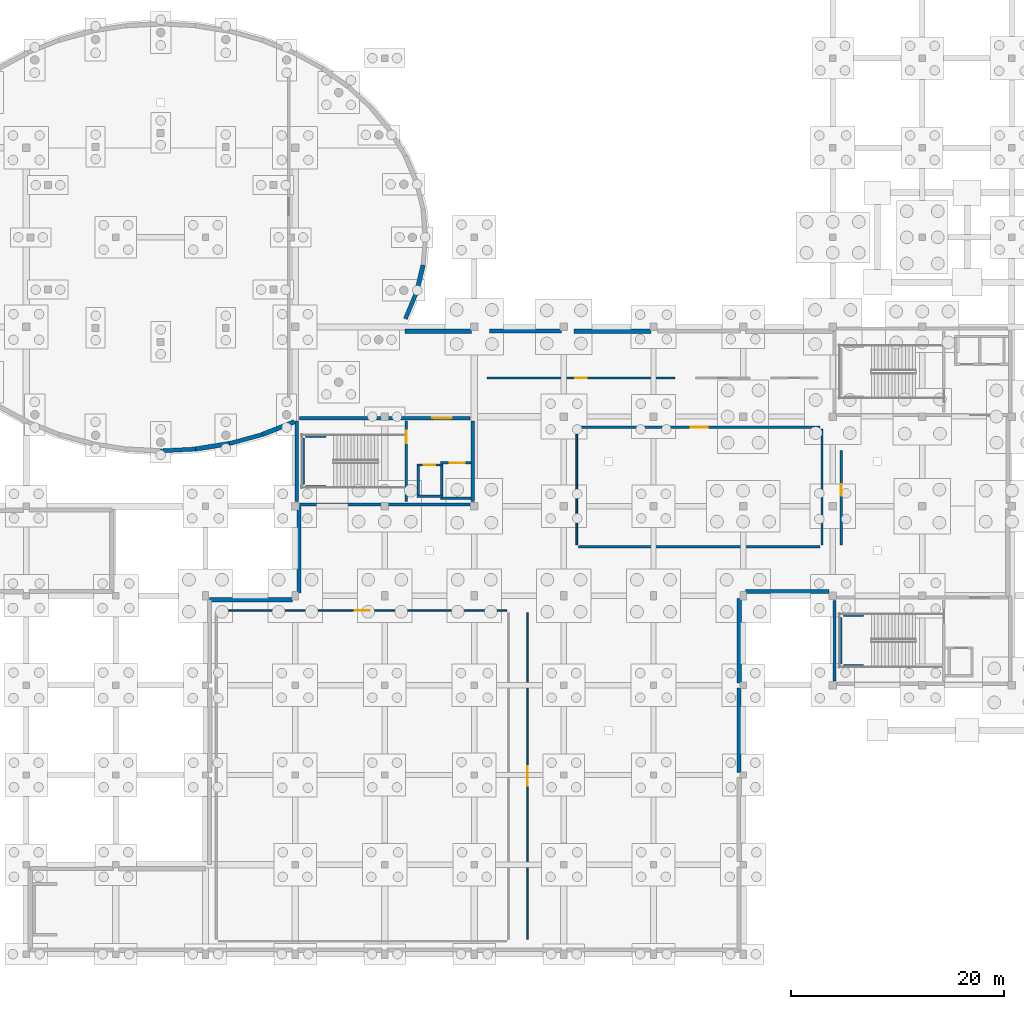
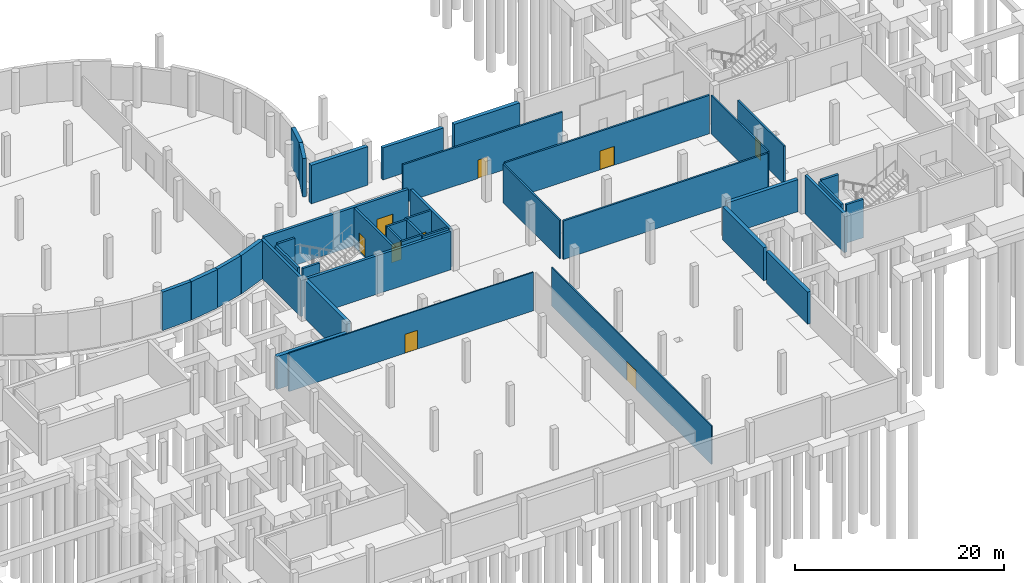
# One storey, part 14 of 24: 40 walls, 9 doors, 9 openings.
"""IFC4 building model written with IfcOpenShell, lengths in metres."""

import ifcopenshell
import ifcopenshell.guid

model = None  # the IFC model being written
_history = None  # IfcOwnerHistory: only IFC2X3 demands one
_inside = {}  # id of a spatial element -> (the spatial element, [elements in it])
_under = {}  # id of a project, library or spatial element -> (it, [spatial elements below it])
_declared = {}  # id of a project -> (the project, [libraries it declares])
_typed = {}  # id of a type object -> (the type object, [elements of that type])
_made_of = {}  # id of a material, layer set ... -> (it, [elements and type objects made of it])


def new_model(schema):
    """Start an empty IFC model of exactly this schema.

    Asked for "IFC4X3", IfcOpenShell would pick the latest addendum, in which some entities
    have other attributes; the version numbers below select the first issue.
    IFC2X3 requires an IfcOwnerHistory on every rooted entity: one is made here for all.
    """
    global model, _history
    if schema == "IFC4X3":
        model = ifcopenshell.file(schema_version=(4, 3, 0, 0))
    else:
        model = ifcopenshell.file(schema=schema)
    _inside.clear()
    _under.clear()
    _declared.clear()
    _typed.clear()
    _made_of.clear()
    _history = None
    if model.schema == "IFC2X3":
        org = make("IfcOrganization", Name="unknown")
        user = make(
            "IfcPersonAndOrganization",
            ThePerson=make("IfcPerson", FamilyName="unknown"),
            TheOrganization=org,
        )
        app = make(
            "IfcApplication",
            ApplicationDeveloper=org,
            Version="unknown",
            ApplicationFullName="unknown",
            ApplicationIdentifier="unknown",
        )
        _history = make(
            "IfcOwnerHistory",
            OwningUser=user,
            OwningApplication=app,
            ChangeAction="ADDED",
            CreationDate=0,
        )
    return model


def make(cls, **values):
    """One entity of the class cls with the attributes given. An attribute that is None is left unset."""
    return model.create_entity(
        cls, **{name: value for name, value in values.items() if value is not None}
    )


def rooted(cls, **values):
    """An entity with a GlobalId (a new one), such as an element, a storey or a relation."""
    return make(cls, GlobalId=ifcopenshell.guid.new(), OwnerHistory=_history, **values)


def si_unit(unit_type, name, prefix=None):
    """IfcSIUnit, for example si_unit("LENGTHUNIT", "METRE", prefix="MILLI")."""
    return make("IfcSIUnit", UnitType=unit_type, Prefix=prefix, Name=name)


def derived_unit(unit_type, elements):
    """IfcDerivedUnit: a product of units, each with its exponent."""
    return make(
        "IfcDerivedUnit",
        Elements=[
            make("IfcDerivedUnitElement", Unit=unit, Exponent=power)
            for unit, power in elements
        ],
        UnitType=unit_type,
    )


def assignment(units):
    """IfcUnitAssignment: the units of a project."""
    return None if units is None else make("IfcUnitAssignment", Units=units)


def point(xyz):
    """IfcCartesianPoint."""
    return None if xyz is None else make("IfcCartesianPoint", Coordinates=xyz)


def direction(xyz):
    """IfcDirection."""
    return None if xyz is None else make("IfcDirection", DirectionRatios=xyz)


def frame(location, z_axis=None, x_axis=None):
    """IfcAxis2Placement3D, a coordinate frame: its origin and axes. An axis left out is left unset."""
    return make(
        "IfcAxis2Placement3D",
        Location=point(location),
        Axis=direction(z_axis),
        RefDirection=direction(x_axis),
    )


def frame_2d(location, x_axis=None):
    """IfcAxis2Placement2D, a coordinate frame in the plane: its origin and x axis."""
    return make(
        "IfcAxis2Placement2D", Location=point(location), RefDirection=direction(x_axis)
    )


def origin():
    """The frame at (0, 0, 0) with its axes left unset."""
    return frame((0.0, 0.0, 0.0))


def place(relative_to, where):
    """IfcLocalPlacement: puts the frame where relative to a parent placement (None: the world)."""
    return make(
        "IfcLocalPlacement", PlacementRelTo=relative_to, RelativePlacement=where
    )


def context(
    kind, dimensions, precision=None, world=None, true_north=None, identifier=None
):
    """IfcGeometricRepresentationContext, for example the 3D "Model" context."""
    return make(
        "IfcGeometricRepresentationContext",
        ContextIdentifier=identifier,
        ContextType=kind,
        CoordinateSpaceDimension=dimensions,
        Precision=precision,
        WorldCoordinateSystem=world,
        TrueNorth=true_north,
    )


def subcontext(parent, identifier, kind, view, scale=None):
    """IfcGeometricRepresentationSubContext, for example "Body" below "Model"."""
    return make(
        "IfcGeometricRepresentationSubContext",
        ContextIdentifier=identifier,
        ContextType=kind,
        ParentContext=parent,
        TargetScale=scale,
        TargetView=view,
    )


def project(units=None, contexts=None):
    """IfcProject with its units and contexts."""
    return rooted(
        "IfcProject",
        Name="project",
        RepresentationContexts=contexts,
        UnitsInContext=assignment(units),
    )


def spatial(cls, under=None, at=None, **own):
    """A site, building, storey or space (cls), placed at a placement, below another one or the project."""
    s = rooted(cls, ObjectPlacement=at, **own)
    if under is not None:
        _under.setdefault(under.id(), (under, []))[1].append(s)
    return s


def profile(cls, at=None, kind="AREA", **sizes):
    """A parametric profile (cls). Its sizes go by their IFC names, for example OverallWidth=200.0."""
    return make(cls, ProfileType=kind, Position=at, **sizes)


def rectangle(**sizes):
    """IfcRectangleProfileDef."""
    return profile("IfcRectangleProfileDef", **sizes)


def extrude(swept, where, along, depth):
    """IfcExtrudedAreaSolid: the profile swept, set in the frame where, extruded along a direction by depth."""
    return make(
        "IfcExtrudedAreaSolid",
        SweptArea=swept,
        Position=where,
        ExtrudedDirection=direction(along),
        Depth=depth,
    )


def shape(context_of_items, identifier, shape_type, items):
    """IfcShapeRepresentation: the items that make up one representation, for example the "Body"."""
    return make(
        "IfcShapeRepresentation",
        ContextOfItems=context_of_items,
        RepresentationIdentifier=identifier,
        RepresentationType=shape_type,
        Items=items,
    )


def material(Name=None, Category=None):
    """IfcMaterial."""
    return make("IfcMaterial", Name=Name, Category=Category)


def layer(
    of_material, thickness, ventilated=None, Name=None, Category=None, Priority=None
):
    """IfcMaterialLayer: one layer of a wall or slab, of a material (None: an air gap)."""
    return make(
        "IfcMaterialLayer",
        Material=of_material,
        LayerThickness=thickness,
        IsVentilated=ventilated,
        Name=Name,
        Category=Category,
        Priority=Priority,
    )


def layer_set(layers, Name=None):
    """IfcMaterialLayerSet."""
    return make("IfcMaterialLayerSet", MaterialLayers=layers, LayerSetName=Name)


def made_of(thing, what):
    """Note that an element or type object is made of a material, layer set ...; save() writes the relation."""
    if what is not None:
        _made_of.setdefault(what.id(), (what, []))[1].append(thing)
    return thing


def type_object(cls, material=None, **own):
    """A type object (cls), such as IfcWallType, which elements share."""
    return made_of(rooted(cls, **own), material)


def element(
    cls,
    number,
    at=None,
    inside=None,
    cuts=None,
    type_object=None,
    material=None,
    context=None,
    identifier="Body",
    shape_type=None,
    held_by="IfcProductDefinitionShape",
    body=None,
    shapes=None,
    **own,
):
    """One element of the class cls, such as IfcWall. Its Tag is "e" and its number.

    at: its placement. inside: the storey or other place that contains it. cuts: it is an
    opening in that element (IfcRelVoidsElement). A single representation is given by context,
    identifier, shape_type and body (its items); several are given by shapes. held_by: the class
    of the entity that holds the representations. save() writes the other relations.
    """
    e = rooted(cls, Tag="e%d" % number, ObjectPlacement=at, **own)
    if body is not None:
        shapes = [shape(context, identifier, shape_type, body)]
    if shapes is not None:
        e.Representation = make(held_by, Representations=shapes)
    if inside is not None:
        _inside.setdefault(inside.id(), (inside, []))[1].append(e)
    if cuts is not None:
        rooted(
            "IfcRelVoidsElement", RelatingBuildingElement=cuts, RelatedOpeningElement=e
        )
    if type_object is not None:
        _typed.setdefault(type_object.id(), (type_object, []))[1].append(e)
    return made_of(e, material)


def fill(opening, filler):
    """IfcRelFillsElement: the door or window that sits in an opening."""
    return rooted(
        "IfcRelFillsElement",
        RelatingOpeningElement=opening,
        RelatedBuildingElement=filler,
    )


def aggregate(whole, parts):
    """IfcRelAggregates: a whole, such as a stair, and the parts it consists of."""
    return rooted("IfcRelAggregates", RelatingObject=whole, RelatedObjects=parts)


def save(model, path):
    """Write the relations noted so far, then the file.

    IfcRelAggregates (storeys below a building ...), IfcRelContainedInSpatialStructure (elements
    in a storey), IfcRelDefinesByType, IfcRelAssociatesMaterial and IfcRelDeclares: one each for
    every whole, place, type object, material and project.
    """
    for whole, parts in _under.values():
        aggregate(whole, parts)
    for where, things in _inside.values():
        rooted(
            "IfcRelContainedInSpatialStructure",
            RelatedElements=things,
            RelatingStructure=where,
        )
    for kind, things in _typed.values():
        rooted("IfcRelDefinesByType", RelatedObjects=things, RelatingType=kind)
    for what, things in _made_of.values():
        rooted("IfcRelAssociatesMaterial", RelatedObjects=things, RelatingMaterial=what)
    for by, libraries in _declared.values():
        rooted("IfcRelDeclares", RelatingContext=by, RelatedDefinitions=libraries)
    model.write(path)


model = new_model("IFC4")

# Units and contexts
model_context = context("Model", 3, precision=1e-05, world=origin(), true_north=direction((0.0, 1.0)))
body_context = subcontext(model_context, "Body", "Model", "MODEL_VIEW")
ifc_project = project(units=[si_unit("LENGTHUNIT", "METRE"), si_unit("AREAUNIT", "SQUARE_METRE"), si_unit("VOLUMEUNIT", "CUBIC_METRE"), si_unit("PLANEANGLEUNIT", "RADIAN"), si_unit("MASSUNIT", "GRAM", prefix="KILO"), derived_unit("THERMALTRANSMITTANCEUNIT", [(si_unit("POWERUNIT", "WATT"), 1), (si_unit("LENGTHUNIT", "METRE"), -2), (si_unit("THERMODYNAMICTEMPERATUREUNIT", "KELVIN"), -1)])], contexts=[model_context])

# Site, building, storey
site_placement = place(None, origin())
site = spatial("IfcSite", under=ifc_project, at=site_placement, CompositionType="ELEMENT")
building_placement = place(site_placement, origin())
building = spatial("IfcBuilding", under=site, at=building_placement, Name="Elbkamm Science Centre", CompositionType="ELEMENT")
storey_placement = place(building_placement, frame((0.0, 0.0, -4.800048828125)))
storey = spatial("IfcBuildingStorey", under=building, at=storey_placement, Name="B01", CompositionType="ELEMENT", Elevation=-4.800048828125)

# Walls
ifc_material_1 = material(Name="Reinforced concrete C40/50", Category="concrete")
ifc_layer_1 = layer(ifc_material_1, 0.25)
ifc_layer_set_1 = layer_set([ifc_layer_1], Name="Reinforced concrete C40/50")
wall_type_1 = type_object("IfcWallType", Name="WL-CORE-250", PredefinedType="SHEAR", material=ifc_layer_set_1)
wall_1_placement = place(storey_placement, frame((76.340087890625, 44.02001953125, 0.0), z_axis=(0.0, 0.0, 1.0), x_axis=(0.0, 1.0, 0.0)))
element("IfcWall", 1, at=wall_1_placement, inside=storey, type_object=wall_type_1, Name="B01 ST-C2 Shaft Bearing Wall W", PredefinedType="SHEAR", context=body_context, shape_type="SweptSolid", body=[
    extrude(rectangle(XDim=4.35986328125, YDim=0.25, at=frame_2d((2.179931640625, 0.0))), origin(), (0.0, 0.0, 1.0), 4.5),
])
for number, where, z_axis, x_axis, name in (
    (2, (76.590087890625, 43.820068359375, 0.0), (0.0, 0.0, 1.0), (1.0, 0.0, 0.0), "B01 ST-C2 Shaft Bearing Wall S"),
    (3, (76.590087890625, 48.580078125, 0.0), (0.0, 0.0, 1.0), (1.0, 0.0, 0.0), "B01 ST-C2 Shaft Bearing Wall N"),
):
    element("IfcWall", number, at=place(storey_placement, frame(where, z_axis=z_axis, x_axis=x_axis)), inside=storey, type_object=wall_type_1, Name=name, PredefinedType="SHEAR", context=body_context, shape_type="SweptSolid", body=[
        extrude(rectangle(XDim=1.889892578125, YDim=0.25, at=frame_2d((0.94482421875, 0.0))), origin(), (0.0, 0.0, 1.0), 4.5),
    ])

# Wall, opening, door
wall_2_placement = place(storey_placement, frame((86.02001953125, 42.419921875, 0.0), z_axis=(0.0, 0.0, 1.0), x_axis=(0.0, 1.0, 0.0)))
wall_2 = element("IfcWall", 4, at=wall_2_placement, inside=storey, type_object=wall_type_1, Name="B01 C2 Stairwell Compartment Wall", PredefinedType="SHEAR", context=body_context, shape_type="SweptSolid", body=[
    extrude(rectangle(XDim=7.56005859375, YDim=0.25, at=frame_2d((3.780029296875, 0.0))), origin(), (0.0, 0.0, 1.0), 4.5),
])
opening_1_placement = place(wall_2_placement, frame((5.4599609375, 0.0, 0.0)))
opening_1 = element("IfcOpeningElement", 5, at=opening_1_placement, cuts=wall_2, Name="Opening DC-02", PredefinedType="OPENING", context=body_context, shape_type="SweptSolid", body=[
    extrude(rectangle(XDim=1.199951171875, YDim=2.199951171875, at=frame_2d((0.60009765625, 1.10009765625))), frame((0.0, 0.136962890625, 0.0), z_axis=(0.0, -1.0, 0.0), x_axis=(1.0, 0.0, 0.0)), (0.0, 0.0, 1.0), 0.27392578125),
])
ifc_material_2 = material(Name="Fire-rated steel acoustic door", Category="steel")
ifc_layer_2 = layer(ifc_material_2, 0.050048828125)
ifc_layer_set_2 = layer_set([ifc_layer_2], Name="Fire-rated steel acoustic door")
door_type_1 = type_object("IfcDoorType", Name="DR-CORE-1200x2200", OperationType="NOTDEFINED", PredefinedType="DOOR", material=ifc_layer_set_2)
door_1_placement = place(opening_1_placement, origin())
door_1 = element("IfcDoor", 6, at=door_1_placement, inside=storey, type_object=door_type_1, Name="B01 ST-C2 Stairwell Fire Door", OperationType="SINGLE_SWING_RIGHT", OverallHeight=2.199951171875, OverallWidth=1.199951171875, PredefinedType="DOOR", context=body_context, shape_type="SweptSolid", body=[
    extrude(rectangle(XDim=1.199951171875, YDim=2.199951171875, at=frame_2d((0.60009765625, 1.10009765625))), frame((0.0, 0.02490234375, 0.0), z_axis=(0.0, -1.0, 0.0), x_axis=(1.0, 0.0, 0.0)), (0.0, 0.0, 1.0), 0.050048828125),
])
fill(opening_1, door_1)

# Walls
wall_3_placement = place(storey_placement, frame((126.739990234375, 27.219970703125, 0.0), z_axis=(0.0, 0.0, 1.0), x_axis=(0.0, 1.0, 0.0)))
element("IfcWall", 7, at=wall_3_placement, inside=storey, type_object=wall_type_1, Name="B01 ST-C4 Shaft Bearing Wall W", PredefinedType="SHEAR", context=body_context, shape_type="SweptSolid", body=[
    extrude(rectangle(XDim=4.360107421875, YDim=0.25, at=frame_2d((2.18017578125, 0.0))), origin(), (0.0, 0.0, 1.0), 4.5),
])
for number, where, z_axis, x_axis, name in (
    (8, (126.989990234375, 27.02001953125, 0.0), (0.0, 0.0, 1.0), (1.0, 0.0, 0.0), "B01 ST-C4 Shaft Bearing Wall S"),
    (9, (126.989990234375, 31.780029296875, 0.0), (0.0, 0.0, 1.0), (1.0, 0.0, 0.0), "B01 ST-C4 Shaft Bearing Wall N"),
):
    element("IfcWall", number, at=place(storey_placement, frame(where, z_axis=z_axis, x_axis=x_axis)), inside=storey, type_object=wall_type_1, Name=name, PredefinedType="SHEAR", context=body_context, shape_type="SweptSolid", body=[
        extrude(rectangle(XDim=1.889892578125, YDim=0.25, at=frame_2d((0.94482421875, 0.0))), origin(), (0.0, 0.0, 1.0), 4.5),
    ])
ifc_layer_3 = layer(ifc_material_1, 0.300048828125)
ifc_layer_set_3 = layer_set([ifc_layer_3], Name="Reinforced concrete C40/50")
wall_type_2 = type_object("IfcWallType", Name="WL-CORE-300", PredefinedType="SHEAR", material=ifc_layer_set_3)
wall_4_placement = place(storey_placement, frame((76.02001953125, 42.14990234375, 0.0), z_axis=(0.0, 0.0, 1.0), x_axis=(1.0, 0.0, 0.0)))
element("IfcWall", 10, at=wall_4_placement, inside=storey, type_object=wall_type_2, Name="B01 Core C2 Central Exhibition and Skybridge Core Shear Wall S", PredefinedType="SHEAR", context=body_context, shape_type="SweptSolid", body=[
    extrude(rectangle(XDim=15.9599609375, YDim=0.300048828125, at=frame_2d((7.97998046875, 0.0))), origin(), (0.0, 0.0, 1.0), 4.5),
])

# Wall, opening, door
wall_5_placement = place(storey_placement, frame((76.02001953125, 50.25, 0.0), z_axis=(0.0, 0.0, 1.0), x_axis=(1.0, 0.0, 0.0)))
wall_5 = element("IfcWall", 11, at=wall_5_placement, inside=storey, type_object=wall_type_2, Name="B01 Core C2 Central Exhibition and Skybridge Core Shear Wall N", PredefinedType="SHEAR", context=body_context, shape_type="SweptSolid", body=[
    extrude(rectangle(XDim=15.9599609375, YDim=0.300048828125, at=frame_2d((7.97998046875, 0.0))), origin(), (0.0, 0.0, 1.0), 4.5),
])
opening_2_placement = place(wall_5_placement, frame((12.4599609375, 0.0, 0.0)))
opening_2 = element("IfcOpeningElement", 12, at=opening_2_placement, cuts=wall_5, Name="Opening DC-01", PredefinedType="OPENING", context=body_context, shape_type="SweptSolid", body=[
    extrude(rectangle(XDim=1.800048828125, YDim=2.199951171875, at=frame_2d((0.89990234375, 1.10009765625))), frame((0.0, 0.162109375, 0.0), z_axis=(0.0, -1.0, 0.0), x_axis=(1.0, 0.0, 0.0)), (0.0, 0.0, 1.0), 0.323974609375),
])
ifc_layer_4 = layer(ifc_material_2, 0.050048828125)
ifc_layer_set_4 = layer_set([ifc_layer_4], Name="Fire-rated steel acoustic door")
door_type_2 = type_object("IfcDoorType", Name="DR-CORE-1800x2200", OperationType="DOUBLE_DOOR_SINGLE_SWING", PredefinedType="DOOR", material=ifc_layer_set_4)
door_2_placement = place(opening_2_placement, origin())
door_2 = element("IfcDoor", 13, at=door_2_placement, inside=storey, type_object=door_type_2, Name="B01 C2 Core Lobby Fire Door", OperationType="DOUBLE_DOOR_SINGLE_SWING", OverallHeight=2.199951171875, OverallWidth=1.800048828125, PredefinedType="DOOR", context=body_context, shape_type="SweptSolid", body=[
    extrude(rectangle(XDim=1.800048828125, YDim=2.199951171875, at=frame_2d((0.89990234375, 1.10009765625))), frame((0.0, 0.02490234375, 0.0), z_axis=(0.0, -1.0, 0.0), x_axis=(1.0, 0.0, 0.0)), (0.0, 0.0, 1.0), 0.050048828125),
])
fill(opening_2, door_2)

# Walls
for number, where, z_axis, x_axis, name in (
    (14, (75.75, 42.419921875, 0.0), (0.0, 0.0, 1.0), (0.0, 1.0, 0.0), "B01 Core C2 Central Exhibition and Skybridge Core Shear Wall W"),
    (15, (92.25, 42.419921875, 0.0), (0.0, 0.0, 1.0), (0.0, 1.0, 0.0), "B01 Core C2 Central Exhibition and Skybridge Core Shear Wall E"),
):
    element("IfcWall", number, at=place(storey_placement, frame(where, z_axis=z_axis, x_axis=x_axis)), inside=storey, type_object=wall_type_2, Name=name, PredefinedType="SHEAR", context=body_context, shape_type="SweptSolid", body=[
        extrude(rectangle(XDim=7.56005859375, YDim=0.300048828125, at=frame_2d((3.780029296875, 0.0))), origin(), (0.0, 0.0, 1.0), 4.5),
    ])
wall_6_placement = place(storey_placement, frame((126.179931640625, 25.6201171875, 0.0), z_axis=(0.0, 0.0, 1.0), x_axis=(0.0, 1.0, 0.0)))
element("IfcWall", 16, at=wall_6_placement, inside=storey, type_object=wall_type_2, Name="B01 Core C4 Southeast Workshops and Library Core Shear Wall W", PredefinedType="SHEAR", context=body_context, shape_type="SweptSolid", body=[
    extrude(rectangle(XDim=7.559814453125, YDim=0.300048828125, at=frame_2d((3.77978515625, 0.0))), origin(), (0.0, 0.0, 1.0), 4.5),
])
ifc_material_3 = material(Name="Fire-rated gypsum stud partition", Category="gypsum")
ifc_layer_5 = layer(ifc_material_3, 0.175048828125)
ifc_layer_set_5 = layer_set([ifc_layer_5], Name="Fire-rated gypsum stud partition")
wall_type_3 = type_object("IfcWallType", Name="WL-FIRE-175", PredefinedType="PARTITIONING", material=ifc_layer_set_5)
for number, where, z_axis, x_axis, name in (
    (17, (125.0, 49.219970703125, 0.0), (0.0, 0.0, 1.0), (0.0, -1.0, 0.0), "B01 Primary Chiller and Heat Pump Plant Room Partition 0013"),
    (18, (102.0, 38.3798828125, 0.0), (0.0, 0.0, 1.0), (0.0, 1.0, 0.0), "B01 Primary Chiller and Heat Pump Plant Room Partition 0015"),
):
    element("IfcWall", number, at=place(storey_placement, frame(where, z_axis=z_axis, x_axis=x_axis)), inside=storey, type_object=wall_type_3, Name=name, PredefinedType="PARTITIONING", context=body_context, shape_type="SweptSolid", body=[
        extrude(rectangle(XDim=10.840087890625, YDim=0.175048828125, at=frame_2d((5.419921875, 0.0))), origin(), (0.0, 0.0, 1.0), 4.5),
    ])

# Wall, opening, door
ifc_material_4 = material(Name="Fire-rated acoustic blockwork", Category="masonry")
ifc_layer_6 = layer(ifc_material_4, 0.199951171875)
ifc_layer_set_6 = layer_set([ifc_layer_6], Name="Fire-rated acoustic blockwork")
wall_type_4 = type_object("IfcWallType", Name="WL-FIRE-200", PredefinedType="PARTITIONING", material=ifc_layer_set_6)
wall_7_placement = place(storey_placement, frame((102.179931640625, 49.39990234375, 0.0), z_axis=(0.0, 0.0, 1.0), x_axis=(1.0, 0.0, 0.0)))
wall_7 = element("IfcWall", 19, at=wall_7_placement, inside=storey, type_object=wall_type_4, Name="B01 Primary Chiller and Heat Pump Plant Room Partition 0012", PredefinedType="PARTITIONING", context=body_context, shape_type="SweptSolid", body=[
    extrude(rectangle(XDim=22.64013671875, YDim=0.199951171875, at=frame_2d((11.320068359375, 0.0))), origin(), (0.0, 0.0, 1.0), 4.5),
])
opening_3_placement = place(wall_7_placement, frame((10.52001953125, 0.0, 0.0)))
opening_3 = element("IfcOpeningElement", 20, at=opening_3_placement, cuts=wall_7, Name="Opening DF-01", PredefinedType="OPENING", context=body_context, shape_type="SweptSolid", body=[
    extrude(rectangle(XDim=1.60009765625, YDim=2.199951171875, at=frame_2d((0.800048828125, 1.10009765625))), frame((0.0, 0.11181640625, 0.0), z_axis=(0.0, -1.0, 0.0), x_axis=(1.0, 0.0, 0.0)), (0.0, 0.0, 1.0), 0.223876953125),
])
ifc_material_5 = material(Name="Fire-rated timber acoustic door", Category="wood")
ifc_layer_7 = layer(ifc_material_5, 0.050048828125)
ifc_layer_set_7 = layer_set([ifc_layer_7], Name="Fire-rated timber acoustic door")
door_type_3 = type_object("IfcDoorType", Name="DR-FIRE-1600x2200", OperationType="DOUBLE_DOOR_SINGLE_SWING", PredefinedType="DOOR", material=ifc_layer_set_7)
door_3_placement = place(opening_3_placement, origin())
door_3 = element("IfcDoor", 21, at=door_3_placement, inside=storey, type_object=door_type_3, Name="B01 Primary Chiller and Heat Pump Plant Room Door", OperationType="DOUBLE_DOOR_SINGLE_SWING", OverallHeight=2.199951171875, OverallWidth=1.60009765625, PredefinedType="DOOR", context=body_context, shape_type="SweptSolid", body=[
    extrude(rectangle(XDim=1.60009765625, YDim=2.199951171875, at=frame_2d((0.800048828125, 1.10009765625))), frame((0.0, 0.02490234375, 0.0), z_axis=(0.0, -1.0, 0.0), x_axis=(1.0, 0.0, 0.0)), (0.0, 0.0, 1.0), 0.050048828125),
])
fill(opening_3, door_3)

# Wall
wall_8_placement = place(storey_placement, frame((124.820068359375, 38.199951171875, 0.0), z_axis=(0.0, 0.0, 1.0), x_axis=(-1.0, 0.0, 0.0)))
element("IfcWall", 22, at=wall_8_placement, inside=storey, type_object=wall_type_4, Name="B01 Primary Chiller and Heat Pump Plant Room Partition 0014", PredefinedType="PARTITIONING", context=body_context, shape_type="SweptSolid", body=[
    extrude(rectangle(XDim=22.64013671875, YDim=0.199951171875, at=frame_2d((11.320068359375, 0.0))), origin(), (0.0, 0.0, 1.0), 4.5),
])

# Wall, opening, door
wall_9_placement = place(storey_placement, frame((126.800048828125, 38.3798828125, 0.0), z_axis=(0.0, 0.0, 1.0), x_axis=(0.0, 1.0, 0.0)))
wall_9 = element("IfcWall", 23, at=wall_9_placement, inside=storey, type_object=wall_type_4, Name="B01 Main Air Handling and Ventilation Plant Partition 0016", PredefinedType="PARTITIONING", context=body_context, shape_type="SweptSolid", body=[
    extrude(rectangle(XDim=8.840087890625, YDim=0.199951171875, at=frame_2d((4.419921875, 0.0))), origin(), (0.0, 0.0, 1.0), 4.5),
])
opening_4_placement = place(wall_9_placement, frame((4.602294921875, 0.0, 0.0)))
opening_4 = element("IfcOpeningElement", 24, at=opening_4_placement, cuts=wall_9, Name="Opening DF-02", PredefinedType="OPENING", context=body_context, shape_type="SweptSolid", body=[
    extrude(rectangle(XDim=1.050048828125, YDim=2.14990234375, at=frame_2d((0.52490234375, 1.074951171875))), frame((0.0, 0.11181640625, 0.0), z_axis=(0.0, -1.0, 0.0), x_axis=(1.0, 0.0, 0.0)), (0.0, 0.0, 1.0), 0.223876953125),
])
ifc_layer_8 = layer(ifc_material_5, 0.050048828125)
ifc_layer_set_8 = layer_set([ifc_layer_8], Name="Fire-rated timber acoustic door")
door_type_4 = type_object("IfcDoorType", Name="DR-FIRE-1050x2150", OperationType="NOTDEFINED", PredefinedType="DOOR", material=ifc_layer_set_8)
door_4_placement = place(opening_4_placement, origin())
door_4 = element("IfcDoor", 25, at=door_4_placement, inside=storey, type_object=door_type_4, Name="B01 Main Air Handling and Ventilation Plant Door", OperationType="SINGLE_SWING_RIGHT", OverallHeight=2.14990234375, OverallWidth=1.050048828125, PredefinedType="DOOR", context=body_context, shape_type="SweptSolid", body=[
    extrude(rectangle(XDim=1.050048828125, YDim=2.14990234375, at=frame_2d((0.52490234375, 1.074951171875))), frame((0.0, 0.02490234375, 0.0), z_axis=(0.0, -1.0, 0.0), x_axis=(1.0, 0.0, 0.0)), (0.0, 0.0, 1.0), 0.050048828125),
])
fill(opening_4, door_4)

wall_10_placement = place(storey_placement, frame((111.219970703125, 54.0, 0.0), z_axis=(0.0, 0.0, 1.0), x_axis=(-1.0, 0.0, 0.0)))
wall_10 = element("IfcWall", 26, at=wall_10_placement, inside=storey, type_object=wall_type_4, Name="B01 Medium Voltage Substation and Switchgear Room Partition 0020", PredefinedType="PARTITIONING", context=body_context, shape_type="SweptSolid", body=[
    extrude(rectangle(XDim=17.639892578125, YDim=0.199951171875, at=frame_2d((8.81982421875, 0.0))), origin(), (0.0, 0.0, 1.0), 4.5),
])
opening_5_placement = place(wall_10_placement, frame((8.294921875, 0.0, 0.0)))
opening_5 = element("IfcOpeningElement", 27, at=opening_5_placement, cuts=wall_10, Name="Opening DF-02", PredefinedType="OPENING", context=body_context, shape_type="SweptSolid", body=[
    extrude(rectangle(XDim=1.050048828125, YDim=2.14990234375, at=frame_2d((0.52490234375, 1.074951171875))), frame((0.0, 0.11181640625, 0.0), z_axis=(0.0, -1.0, 0.0), x_axis=(1.0, 0.0, 0.0)), (0.0, 0.0, 1.0), 0.223876953125),
])
door_5_placement = place(opening_5_placement, origin())
door_5 = element("IfcDoor", 28, at=door_5_placement, inside=storey, type_object=door_type_4, Name="B01 Medium Voltage Substation and Switchgear Room Door", OperationType="SINGLE_SWING_RIGHT", OverallHeight=2.14990234375, OverallWidth=1.050048828125, PredefinedType="DOOR", context=body_context, shape_type="SweptSolid", body=[
    extrude(rectangle(XDim=1.050048828125, YDim=2.14990234375, at=frame_2d((0.52490234375, 1.074951171875))), frame((0.0, 0.02490234375, 0.0), z_axis=(0.0, -1.0, 0.0), x_axis=(1.0, 0.0, 0.0)), (0.0, 0.0, 1.0), 0.050048828125),
])
fill(opening_5, door_5)

ifc_material_6 = material(Name="Acoustic metal-stud gypsum partition", Category="gypsum")
ifc_layer_9 = layer(ifc_material_6, 0.139892578125)
ifc_layer_set_9 = layer_set([ifc_layer_9], Name="Acoustic metal-stud gypsum partition")
wall_type_5 = type_object("IfcWallType", Name="WL-PART-140", PredefinedType="PARTITIONING", material=ifc_layer_set_9)
wall_11_placement = place(storey_placement, frame((68.3798828125, 32.199951171875, 0.0), z_axis=(0.0, 0.0, 1.0), x_axis=(1.0, 0.0, 0.0)))
wall_11 = element("IfcWall", 29, at=wall_11_placement, inside=storey, type_object=wall_type_5, Name="B01 Heavy Exhibit Fabrication Workshop Partition 0001", PredefinedType="PARTITIONING", context=body_context, shape_type="SweptSolid", body=[
    extrude(rectangle(XDim=27.0400390625, YDim=0.139892578125, at=frame_2d((13.52001953125, 0.0))), origin(), (0.0, 0.0, 1.0), 4.5),
])
opening_6_placement = place(wall_11_placement, frame((12.820068359375, 0.0, 0.0)))
opening_6 = element("IfcOpeningElement", 30, at=opening_6_placement, cuts=wall_11, Name="Opening DI-03", PredefinedType="OPENING", context=body_context, shape_type="SweptSolid", body=[
    extrude(rectangle(XDim=1.39990234375, YDim=2.199951171875, at=frame_2d((0.699951171875, 1.10009765625))), frame((0.0, 0.08203125, 0.0), z_axis=(0.0, -1.0, 0.0), x_axis=(1.0, 0.0, 0.0)), (0.0, 0.0, 1.0), 0.163818359375),
])
ifc_material_7 = material(Name="Acoustic oak veneer door")
ifc_layer_10 = layer(ifc_material_7, 0.050048828125)
ifc_layer_set_10 = layer_set([ifc_layer_10], Name="Acoustic oak veneer door")
door_type_5 = type_object("IfcDoorType", Name="DR-INT-1400x2200", OperationType="DOUBLE_DOOR_SINGLE_SWING", PredefinedType="DOOR", material=ifc_layer_set_10)
door_6_placement = place(opening_6_placement, origin())
door_6 = element("IfcDoor", 31, at=door_6_placement, inside=storey, type_object=door_type_5, Name="B01 Heavy Exhibit Fabrication Workshop Door", OperationType="DOUBLE_DOOR_SINGLE_SWING", OverallHeight=2.199951171875, OverallWidth=1.39990234375, PredefinedType="DOOR", context=body_context, shape_type="SweptSolid", body=[
    extrude(rectangle(XDim=1.39990234375, YDim=2.199951171875, at=frame_2d((0.699951171875, 1.10009765625))), frame((0.0, 0.02490234375, 0.0), z_axis=(0.0, -1.0, 0.0), x_axis=(1.0, 0.0, 0.0)), (0.0, 0.0, 1.0), 0.050048828125),
])
fill(opening_6, door_6)

wall_12_placement = place(storey_placement, frame((97.39990234375, 1.3798828125, 0.0), z_axis=(0.0, 0.0, 1.0), x_axis=(0.0, 1.0, 0.0)))
wall_12 = element("IfcWall", 32, at=wall_12_placement, inside=storey, type_object=wall_type_5, Name="B01 Carpentry and Metalwork Studio Partition 0005", PredefinedType="PARTITIONING", context=body_context, shape_type="SweptSolid", body=[
    extrude(rectangle(XDim=30.64013671875, YDim=0.139892578125, at=frame_2d((15.320068359375, 0.0))), origin(), (0.0, 0.0, 1.0), 4.5),
])
opening_7_placement = place(wall_12_placement, frame((14.419921875, 0.0, 0.0)))
opening_7 = element("IfcOpeningElement", 33, at=opening_7_placement, cuts=wall_12, Name="Opening DI-01", PredefinedType="OPENING", context=body_context, shape_type="SweptSolid", body=[
    extrude(rectangle(XDim=1.800048828125, YDim=2.25, at=frame_2d((0.89990234375, 1.125))), frame((0.0, 0.08203125, 0.0), z_axis=(0.0, -1.0, 0.0), x_axis=(1.0, 0.0, 0.0)), (0.0, 0.0, 1.0), 0.163818359375),
])
ifc_material_8 = material(Name="Acoustic oak veneer and safety glass door", Category="glass")
ifc_layer_11 = layer(ifc_material_8, 0.050048828125)
ifc_layer_set_11 = layer_set([ifc_layer_11], Name="Acoustic oak veneer and safety glass door")
door_type_6 = type_object("IfcDoorType", Name="DR-INT-1800x2250", OperationType="DOUBLE_DOOR_SINGLE_SWING", PredefinedType="DOOR", material=ifc_layer_set_11)
door_7_placement = place(opening_7_placement, origin())
door_7 = element("IfcDoor", 34, at=door_7_placement, inside=storey, type_object=door_type_6, Name="B01 Carpentry and Metalwork Studio Door", OperationType="DOUBLE_DOOR_SINGLE_SWING", OverallHeight=2.25, OverallWidth=1.800048828125, PredefinedType="DOOR", context=body_context, shape_type="SweptSolid", body=[
    extrude(rectangle(XDim=1.800048828125, YDim=2.25, at=frame_2d((0.89990234375, 1.125))), frame((0.0, 0.02490234375, 0.0), z_axis=(0.0, -1.0, 0.0), x_axis=(1.0, 0.0, 0.0)), (0.0, 0.0, 1.0), 0.050048828125),
])
fill(opening_7, door_7)

# Walls
ifc_material_9 = material(Name="Waterproof concrete C35/45", Category="concrete")
ifc_layer_12 = layer(ifc_material_9, 0.3798828125)
ifc_layer_set_12 = layer_set([ifc_layer_12], Name="Waterproof concrete C35/45")
wall_type_6 = type_object("IfcWallType", Name="WL-RET-380", PredefinedType="USERDEFINED", material=ifc_layer_set_12)
wall_13_placement = place(storey_placement, frame((75.97998046875, 33.839111328125, 0.0), z_axis=(0.0, 0.0, 1.0), x_axis=(0.0, 1.0, 0.0)))
element("IfcWall", 35, at=wall_13_placement, inside=storey, type_object=wall_type_6, Name="B01 Exterior Wall 0005", ObjectType="RETAININGWALL", PredefinedType="USERDEFINED", context=body_context, shape_type="SweptSolid", body=[
    extrude(rectangle(XDim=8.14599609375, YDim=0.3798828125, at=frame_2d((4.072998046875, 0.0))), origin(), (0.0, 0.0, 1.0), 4.5),
])
wall_14_placement = place(storey_placement, frame((72.5224609375, 48.713623046875, 0.0), z_axis=(0.0, 0.0, 1.0), x_axis=(-0.964254212891, -0.264978891466, 0.0)))
element("IfcWall", 36, at=wall_14_placement, inside=storey, type_object=wall_type_6, Name="B01 Exterior Wall 0007", ObjectType="RETAININGWALL", PredefinedType="USERDEFINED", context=body_context, shape_type="SweptSolid", body=[
    extrude(rectangle(XDim=3.1953125, YDim=0.3798828125, at=frame_2d((1.59765625, 0.0))), origin(), (0.0, 0.0, 1.0), 4.5),
])
wall_15_placement = place(storey_placement, frame((66.248779296875, 47.352783203125, 0.0), z_axis=(0.0, 0.0, 1.0), x_axis=(-0.998595559221, -0.052980270896, 0.0)))
element("IfcWall", 37, at=wall_15_placement, inside=storey, type_object=wall_type_6, Name="B01 Exterior Wall 0009", ObjectType="RETAININGWALL", PredefinedType="USERDEFINED", context=body_context, shape_type="SweptSolid", body=[
    extrude(rectangle(XDim=3.25341796875, YDim=0.3798828125, at=frame_2d((1.626708984375, 0.0))), origin(), (0.0, 0.0, 1.0), 4.5),
])
wall_16_placement = place(storey_placement, frame((86.9794921875, 62.03955078125, 0.0), z_axis=(0.0, 0.0, 1.0), x_axis=(-0.386754150365, -0.922182859945, 0.0)))
element("IfcWall", 38, at=wall_16_placement, inside=storey, type_object=wall_type_6, Name="B01 Exterior Wall 0067", ObjectType="RETAININGWALL", PredefinedType="USERDEFINED", context=body_context, shape_type="SweptSolid", body=[
    extrude(rectangle(XDim=2.681640625, YDim=0.3798828125, at=frame_2d((1.3408203125, 0.0))), origin(), (0.0, 0.0, 1.0), 4.5),
])
wall_17_placement = place(storey_placement, frame((93.826416015625, 58.419921875, 0.0), z_axis=(0.0, 0.0, 1.0), x_axis=(1.0, 0.0, 0.0)))
element("IfcWall", 39, at=wall_17_placement, inside=storey, type_object=wall_type_6, Name="B01 Exterior Wall 0069", ObjectType="RETAININGWALL", PredefinedType="USERDEFINED", context=body_context, shape_type="SweptSolid", body=[
    extrude(rectangle(XDim=6.734375, YDim=0.3798828125, at=frame_2d((3.3671875, 0.0))), origin(), (0.0, 0.0, 1.0), 3.75),
])
wall_18_placement = place(storey_placement, frame((125.64794921875, 33.97998046875, 0.0), z_axis=(0.0, 0.0, 1.0), x_axis=(-1.0, 0.0, 0.0)))
element("IfcWall", 40, at=wall_18_placement, inside=storey, type_object=wall_type_6, Name="B01 Exterior Wall 0075", ObjectType="RETAININGWALL", PredefinedType="USERDEFINED", context=body_context, shape_type="SweptSolid", body=[
    extrude(rectangle(XDim=7.808837890625, YDim=0.3798828125, at=frame_2d((3.904296875, 0.0))), origin(), (0.0, 0.0, 1.0), 3.75),
])
wall_19_placement = place(storey_placement, frame((117.219970703125, 24.9609375, 0.0), z_axis=(0.0, 0.0, 1.0), x_axis=(0.0, -1.0, 0.0)))
element("IfcWall", 41, at=wall_19_placement, inside=storey, type_object=wall_type_6, Name="B01 Exterior Wall 0077", ObjectType="RETAININGWALL", PredefinedType="USERDEFINED", context=body_context, shape_type="SweptSolid", body=[
    extrude(rectangle(XDim=7.921875, YDim=0.3798828125, at=frame_2d((3.9609375, 0.0))), origin(), (0.0, 0.0, 1.0), 3.75),
])
ifc_layer_13 = layer(ifc_material_9, 0.419921875)
ifc_layer_set_13 = layer_set([ifc_layer_13], Name="Waterproof concrete C35/45")
wall_type_7 = type_object("IfcWallType", Name="WL-RET-420", PredefinedType="USERDEFINED", material=ifc_layer_set_13)
wall_20_placement = place(storey_placement, frame((67.580078125, 33.219970703125, 0.0), z_axis=(0.0, 0.0, 1.0), x_axis=(1.0, 0.0, 0.0)))
element("IfcWall", 42, at=wall_20_placement, inside=storey, type_object=wall_type_7, Name="B01 Exterior Wall 0004", ObjectType="RETAININGWALL", PredefinedType="USERDEFINED", context=body_context, shape_type="SweptSolid", body=[
    extrude(rectangle(XDim=7.78076171875, YDim=0.419921875, at=frame_2d((3.890380859375, 0.0))), origin(), (0.0, 0.0, 1.0), 3.85009765625),
])
wall_21_placement = place(storey_placement, frame((75.543212890625, 49.919677734375, 0.0), z_axis=(0.0, 0.0, 1.0), x_axis=(-0.928714620715, -0.370795298338, 0.0)))
element("IfcWall", 43, at=wall_21_placement, inside=storey, type_object=wall_type_7, Name="B01 Exterior Wall 0006", ObjectType="RETAININGWALL", PredefinedType="USERDEFINED", context=body_context, shape_type="SweptSolid", body=[
    extrude(rectangle(XDim=3.252685546875, YDim=0.419921875, at=frame_2d((1.62646484375, 0.0))), origin(), (0.0, 0.0, 1.0), 4.5),
])
wall_22_placement = place(storey_placement, frame((69.44140625, 47.866943359375, 0.0), z_axis=(0.0, 0.0, 1.0), x_axis=(-0.987278994565, -0.158997443034, 0.0)))
element("IfcWall", 44, at=wall_22_placement, inside=storey, type_object=wall_type_7, Name="B01 Exterior Wall 0008", ObjectType="RETAININGWALL", PredefinedType="USERDEFINED", context=body_context, shape_type="SweptSolid", body=[
    extrude(rectangle(XDim=3.233642578125, YDim=0.419921875, at=frame_2d((1.61669921875, 0.0))), origin(), (0.0, 0.0, 1.0), 4.5),
])
wall_23_placement = place(storey_placement, frame((87.608154296875, 64.598388671875, 0.0), z_axis=(0.0, 0.0, 1.0), x_axis=(-0.238587589833, -0.971120982153, 0.0)))
element("IfcWall", 45, at=wall_23_placement, inside=storey, type_object=wall_type_7, Name="B01 Exterior Wall 0066", ObjectType="RETAININGWALL", PredefinedType="USERDEFINED", context=body_context, shape_type="SweptSolid", body=[
    extrude(rectangle(XDim=2.635009765625, YDim=0.419921875, at=frame_2d((1.3173828125, 0.0))), origin(), (0.0, 0.0, 1.0), 4.5),
])
wall_24_placement = place(storey_placement, frame((85.92041015625, 58.419921875, 0.0), z_axis=(0.0, 0.0, 1.0), x_axis=(1.0, 0.0, 0.0)))
element("IfcWall", 46, at=wall_24_placement, inside=storey, type_object=wall_type_7, Name="B01 Exterior Wall 0068", ObjectType="RETAININGWALL", PredefinedType="USERDEFINED", context=body_context, shape_type="SweptSolid", body=[
    extrude(rectangle(XDim=6.240478515625, YDim=0.419921875, at=frame_2d((3.1201171875, 0.0))), origin(), (0.0, 0.0, 1.0), 4.5),
])
wall_25_placement = place(storey_placement, frame((101.732177734375, 58.419921875, 0.0), z_axis=(0.0, 0.0, 1.0), x_axis=(1.0, 0.0, 0.0)))
element("IfcWall", 47, at=wall_25_placement, inside=storey, type_object=wall_type_7, Name="B01 Exterior Wall 0070", ObjectType="RETAININGWALL", PredefinedType="USERDEFINED", context=body_context, shape_type="SweptSolid", body=[
    extrude(rectangle(XDim=7.228759765625, YDim=0.419921875, at=frame_2d((3.6142578125, 0.0))), origin(), (0.0, 0.0, 1.0), 3.75),
])
wall_26_placement = place(storey_placement, frame((117.219970703125, 33.36083984375, 0.0), z_axis=(0.0, 0.0, 1.0), x_axis=(0.0, -1.0, 0.0)))
element("IfcWall", 48, at=wall_26_placement, inside=storey, type_object=wall_type_7, Name="B01 Exterior Wall 0076", ObjectType="RETAININGWALL", PredefinedType="USERDEFINED", context=body_context, shape_type="SweptSolid", body=[
    extrude(rectangle(XDim=7.921630859375, YDim=0.419921875, at=frame_2d((3.9609375, 0.0))), origin(), (0.0, 0.0, 1.0), 3.85009765625),
])
ifc_layer_14 = layer(ifc_material_1, 0.219970703125)
ifc_layer_set_14 = layer_set([ifc_layer_14], Name="Reinforced concrete C40/50")
wall_type_8 = type_object("IfcWallType", Name="WL-SHAFT-220", PredefinedType="SOLIDWALL", material=ifc_layer_set_14)
wall_27_placement = place(storey_placement, frame((87.139892578125, 43.050048828125, 0.0), z_axis=(0.0, 0.0, 1.0), x_axis=(0.0, 1.0, 0.0)))
element("IfcWall", 49, at=wall_27_placement, inside=storey, type_object=wall_type_8, Name="B01 Lift FF2 Shaft West Wall", PredefinedType="SOLIDWALL", context=body_context, shape_type="SweptSolid", body=[
    extrude(rectangle(XDim=2.699951171875, YDim=0.219970703125, at=frame_2d((1.35009765625, 0.0))), origin(), (0.0, 0.0, 1.0), 4.5),
])
wall_28_placement = place(storey_placement, frame((87.030029296875, 42.93994140625, 0.0), z_axis=(0.0, 0.0, 1.0), x_axis=(1.0, 0.0, 0.0)))
element("IfcWall", 50, at=wall_28_placement, inside=storey, type_object=wall_type_8, Name="B01 Lift FF2 Shaft Back Wall", PredefinedType="SOLIDWALL", context=body_context, shape_type="SweptSolid", body=[
    extrude(rectangle(XDim=2.429931640625, YDim=0.219970703125, at=frame_2d((1.21484375, 0.0))), origin(), (0.0, 0.0, 1.0), 4.5),
])

# Wall, opening, door
wall_29_placement = place(storey_placement, frame((87.030029296875, 45.860107421875, 0.0), z_axis=(0.0, 0.0, 1.0), x_axis=(1.0, 0.0, 0.0)))
wall_29 = element("IfcWall", 51, at=wall_29_placement, inside=storey, type_object=wall_type_8, Name="B01 Lift FF2 Shaft Front Wall", PredefinedType="SOLIDWALL", context=body_context, shape_type="SweptSolid", body=[
    extrude(rectangle(XDim=2.429931640625, YDim=0.219970703125, at=frame_2d((1.21484375, 0.0))), origin(), (0.0, 0.0, 1.0), 4.5),
])
opening_8_placement = place(wall_29_placement, frame((0.6201171875, 0.0, 0.0)))
opening_8 = element("IfcOpeningElement", 52, at=opening_8_placement, cuts=wall_29, Name="Opening LD-01", PredefinedType="OPENING", context=body_context, shape_type="SweptSolid", body=[
    extrude(rectangle(XDim=1.10009765625, YDim=2.14990234375, at=frame_2d((0.550048828125, 1.074951171875))), frame((0.0, 0.1220703125, 0.0), z_axis=(0.0, -1.0, 0.0), x_axis=(1.0, 0.0, 0.0)), (0.0, 0.0, 1.0), 0.243896484375),
])
ifc_material_10 = material(Name="Stainless steel lift landing door", Category="steel")
ifc_layer_15 = layer(ifc_material_10, 0.050048828125)
ifc_layer_set_15 = layer_set([ifc_layer_15], Name="Stainless steel lift landing door")
door_type_7 = type_object("IfcDoorType", Name="DR-LIFT-1100x2150", OperationType="DOUBLE_DOOR_SLIDING", PredefinedType="DOOR", material=ifc_layer_set_15)
door_8_placement = place(opening_8_placement, origin())
door_8 = element("IfcDoor", 53, at=door_8_placement, inside=storey, type_object=door_type_7, Name="B01 Lift FF2 Sliding Landing Door", OperationType="DOUBLE_DOOR_SLIDING", OverallHeight=2.14990234375, OverallWidth=1.10009765625, PredefinedType="DOOR", context=body_context, shape_type="SweptSolid", body=[
    extrude(rectangle(XDim=1.10009765625, YDim=2.14990234375, at=frame_2d((0.550048828125, 1.074951171875))), frame((0.0, 0.02490234375, 0.0), z_axis=(0.0, -1.0, 0.0), x_axis=(1.0, 0.0, 0.0)), (0.0, 0.0, 1.0), 0.050048828125),
])
fill(opening_8, door_8)

# Walls
wall_30_placement = place(storey_placement, frame((89.35009765625, 42.85009765625, 0.0), z_axis=(0.0, 0.0, 1.0), x_axis=(0.0, 1.0, 0.0)))
element("IfcWall", 54, at=wall_30_placement, inside=storey, type_object=wall_type_8, Name="B01 Lift GL1 Shaft Divider Wall", PredefinedType="SOLIDWALL", context=body_context, shape_type="SweptSolid", body=[
    extrude(rectangle(XDim=3.099853515625, YDim=0.219970703125, at=frame_2d((1.5498046875, 0.0))), origin(), (0.0, 0.0, 1.0), 4.5),
])
wall_31_placement = place(storey_placement, frame((89.239990234375, 42.739990234375, 0.0), z_axis=(0.0, 0.0, 1.0), x_axis=(1.0, 0.0, 0.0)))
element("IfcWall", 55, at=wall_31_placement, inside=storey, type_object=wall_type_8, Name="B01 Lift GL1 Shaft Back Wall", PredefinedType="SOLIDWALL", context=body_context, shape_type="SweptSolid", body=[
    extrude(rectangle(XDim=2.860107421875, YDim=0.219970703125, at=frame_2d((1.43017578125, 0.0))), origin(), (0.0, 0.0, 1.0), 4.5),
])

# Wall, opening, door
wall_32_placement = place(storey_placement, frame((89.239990234375, 46.06005859375, 0.0), z_axis=(0.0, 0.0, 1.0), x_axis=(1.0, 0.0, 0.0)))
wall_32 = element("IfcWall", 56, at=wall_32_placement, inside=storey, type_object=wall_type_8, Name="B01 Lift GL1 Shaft Front Wall", PredefinedType="SOLIDWALL", context=body_context, shape_type="SweptSolid", body=[
    extrude(rectangle(XDim=2.860107421875, YDim=0.219970703125, at=frame_2d((1.43017578125, 0.0))), origin(), (0.0, 0.0, 1.0), 4.5),
])
opening_9_placement = place(wall_32_placement, frame((0.860107421875, 0.0, 0.0)))
opening_9 = element("IfcOpeningElement", 57, at=opening_9_placement, cuts=wall_32, Name="Opening LD-02", PredefinedType="OPENING", context=body_context, shape_type="SweptSolid", body=[
    extrude(rectangle(XDim=1.39990234375, YDim=2.199951171875, at=frame_2d((0.699951171875, 1.10009765625))), frame((0.0, 0.1220703125, 0.0), z_axis=(0.0, -1.0, 0.0), x_axis=(1.0, 0.0, 0.0)), (0.0, 0.0, 1.0), 0.243896484375),
])
ifc_material_11 = material(Name="Stainless steel freight lift landing door", Category="steel")
ifc_layer_16 = layer(ifc_material_11, 0.050048828125)
ifc_layer_set_16 = layer_set([ifc_layer_16], Name="Stainless steel freight lift landing door")
door_type_8 = type_object("IfcDoorType", Name="DR-LIFT-1400x2200", OperationType="DOUBLE_DOOR_SLIDING", PredefinedType="DOOR", material=ifc_layer_set_16)
door_9_placement = place(opening_9_placement, origin())
door_9 = element("IfcDoor", 58, at=door_9_placement, inside=storey, type_object=door_type_8, Name="B01 Lift GL1 Sliding Landing Door", OperationType="DOUBLE_DOOR_SLIDING", OverallHeight=2.199951171875, OverallWidth=1.39990234375, PredefinedType="DOOR", context=body_context, shape_type="SweptSolid", body=[
    extrude(rectangle(XDim=1.39990234375, YDim=2.199951171875, at=frame_2d((0.699951171875, 1.10009765625))), frame((0.0, 0.02490234375, 0.0), z_axis=(0.0, -1.0, 0.0), x_axis=(1.0, 0.0, 0.0)), (0.0, 0.0, 1.0), 0.050048828125),
])
fill(opening_9, door_9)

save(model, "model.ifc")
